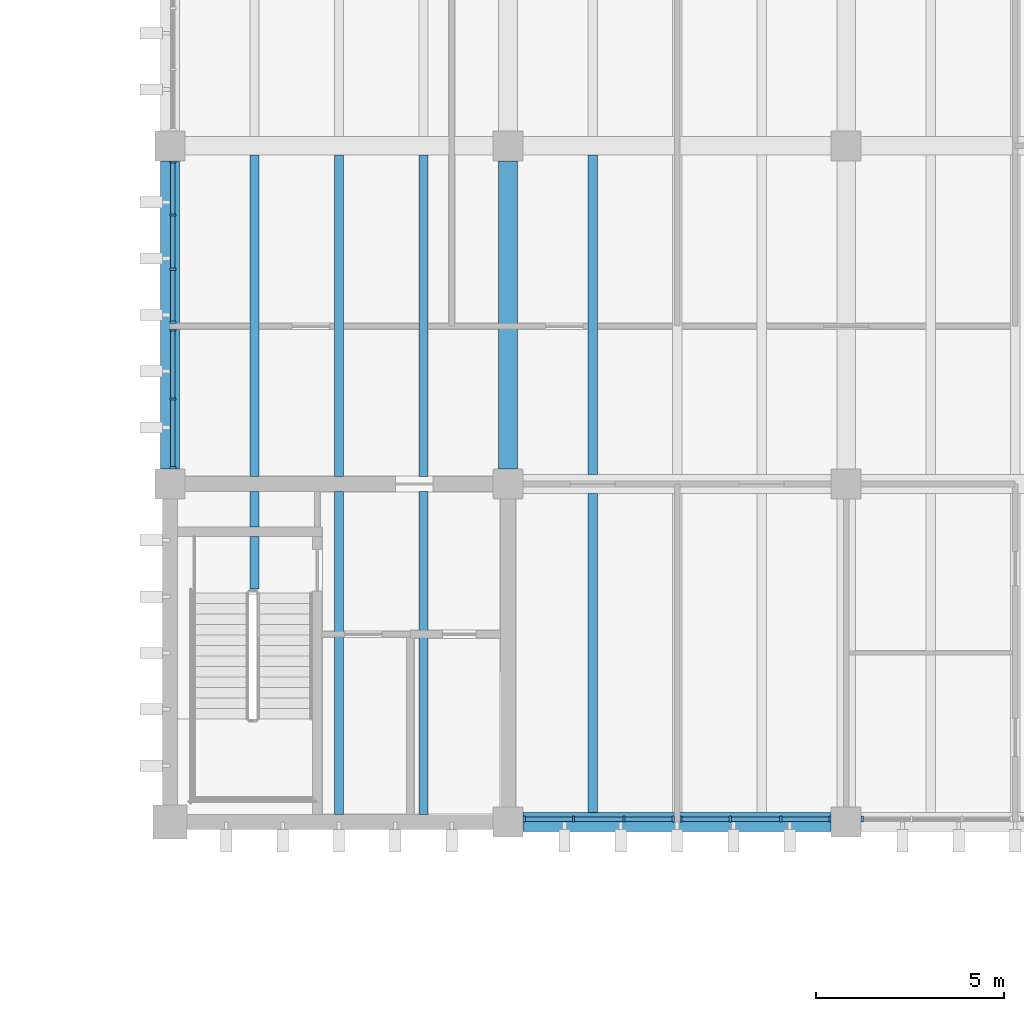
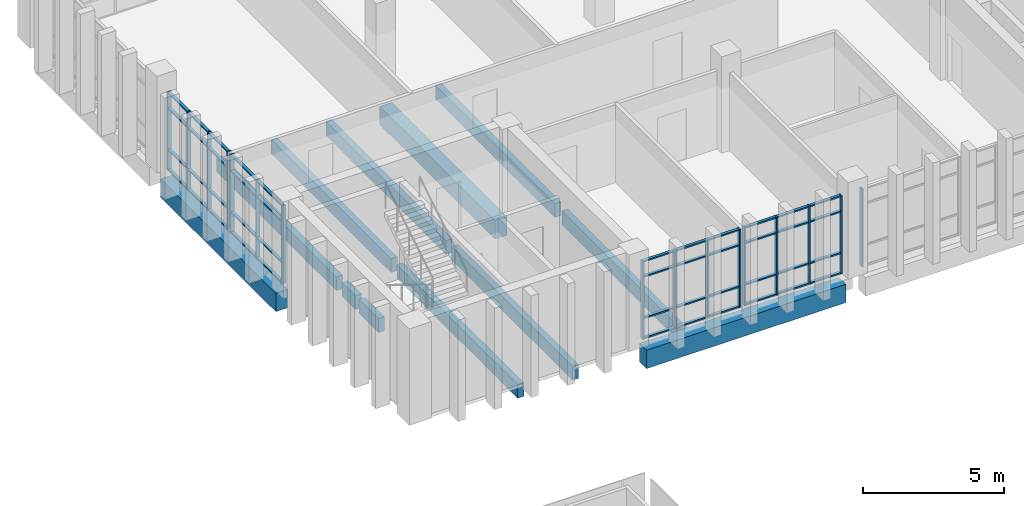
# One storey, part 7 of 29: 60 members, 12 beams, 5 elements without a shape of their own.
"""IFC4 building model written with IfcOpenShell, lengths in metres."""

from ifc_helpers import new_model, si_unit, direction, frame, origin, origin_2d, place, context, subcontext, project, spatial, rectangle, extrude, material, material_profile, profile_set, type_object, element, aggregate, save


model = new_model("IFC4")

# Units and contexts
model_context = context("Model", 3, precision=1e-05, world=origin(), true_north=direction((0.0, 1.0)))
body_context = subcontext(model_context, "Body", "Model", "MODEL_VIEW")
ifc_project = project(units=[si_unit("LENGTHUNIT", "METRE"), si_unit("AREAUNIT", "SQUARE_METRE"), si_unit("VOLUMEUNIT", "CUBIC_METRE"), si_unit("PLANEANGLEUNIT", "RADIAN"), si_unit("MASSUNIT", "GRAM", prefix="KILO")], contexts=[model_context])

# Site, building, storey
site_placement = place(None, origin())
site = spatial("IfcSite", under=ifc_project, at=site_placement, CompositionType="ELEMENT")
building_placement = place(site_placement, origin())
building = spatial("IfcBuilding", under=site, at=building_placement, Name="Merrow Basin Faculty of Sciences", CompositionType="ELEMENT")
storey_placement = place(building_placement, frame((0.0, 0.0, 22.5)))
storey = spatial("IfcBuildingStorey", under=building, at=storey_placement, Name="L05", CompositionType="ELEMENT", Elevation=22.5)

# Curtain wall, members
ifc_material_1 = material(Name="Aluminium alloy 6063", Category="aluminium")
curtain_wall_type = type_object("IfcCurtainWallType", Name="Unitised curtain wall 160", PredefinedType="NOTDEFINED", material=ifc_material_1)
curtain_wall_1_placement = place(storey_placement, origin())
curtain_wall_1 = element("IfcCurtainWall", 1, at=curtain_wall_1_placement, inside=storey, type_object=curtain_wall_type, Name="W curtain wall L05 1", PredefinedType="NOTDEFINED")
ifc_material_2 = material(Name="Aluminium alloy 6063", Category="aluminium")
ifc_material_profile_1 = material_profile(ifc_material_2, rectangle(XDim=0.159912109375, YDim=0.06005859375, at=origin_2d()))
ifc_profile_set_1 = profile_set([ifc_material_profile_1], Name="Aluminium alloy 6063")
member_type_1 = type_object("IfcMemberType", Name="Aluminium mullion 60x160", PredefinedType="MULLION", material=ifc_profile_set_1)
member_1_placement = place(storey_placement, frame((18.080078125, 151.429931640625, 0.0), z_axis=(0.0, 0.0, 1.0), x_axis=(-1.0, 0.0, 0.0)))
member_1 = element("IfcMember", 2, at=member_1_placement, type_object=member_type_1, Name="CW3 mullion 1", PredefinedType="MULLION", context=body_context, shape_type="SweptSolid", body=[
    extrude(rectangle(XDim=0.159912109375, YDim=0.06005859375, at=origin_2d()), origin(), (0.0, 0.0, 1.0), 3.39990234375),
])
member_2_placement = place(storey_placement, frame((18.080078125, 153.262451171875, 0.0), z_axis=(0.0, 0.0, 1.0), x_axis=(-1.0, 0.0, 0.0)))
member_2 = element("IfcMember", 3, at=member_2_placement, type_object=member_type_1, Name="CW3 mullion 2", PredefinedType="MULLION", context=body_context, shape_type="SweptSolid", body=[
    extrude(rectangle(XDim=0.159912109375, YDim=0.06005859375, at=origin_2d()), origin(), (0.0, 0.0, 1.0), 3.39990234375),
])
member_3_placement = place(storey_placement, frame((18.080078125, 155.094970703125, 0.0), z_axis=(0.0, 0.0, 1.0), x_axis=(-1.0, 0.0, 0.0)))
member_3 = element("IfcMember", 4, at=member_3_placement, type_object=member_type_1, Name="CW3 mullion 3", PredefinedType="MULLION", context=body_context, shape_type="SweptSolid", body=[
    extrude(rectangle(XDim=0.159912109375, YDim=0.06005859375, at=origin_2d()), origin(), (0.0, 0.0, 1.0), 3.39990234375),
])

curtain_wall_2_placement = place(storey_placement, origin())
curtain_wall_2 = element("IfcCurtainWall", 5, at=curtain_wall_2_placement, inside=storey, type_object=curtain_wall_type, Name="W curtain wall L05 2", PredefinedType="NOTDEFINED")
member_4_placement = place(storey_placement, frame((18.080078125, 155.304931640625, 0.0), z_axis=(0.0, 0.0, 1.0), x_axis=(-1.0, 0.0, 0.0)))
member_4 = element("IfcMember", 6, at=member_4_placement, type_object=member_type_1, Name="CW3 mullion 1", PredefinedType="MULLION", context=body_context, shape_type="SweptSolid", body=[
    extrude(rectangle(XDim=0.159912109375, YDim=0.06005859375, at=origin_2d()), origin(), (0.0, 0.0, 1.0), 3.39990234375),
])
member_5_placement = place(storey_placement, frame((18.080078125, 156.716552734375, 0.0), z_axis=(0.0, 0.0, 1.0), x_axis=(-1.0, 0.0, 0.0)))
member_5 = element("IfcMember", 7, at=member_5_placement, type_object=member_type_1, Name="CW3 mullion 2", PredefinedType="MULLION", context=body_context, shape_type="SweptSolid", body=[
    extrude(rectangle(XDim=0.159912109375, YDim=0.06005859375, at=origin_2d()), origin(), (0.0, 0.0, 1.0), 3.39990234375),
])
member_6_placement = place(storey_placement, frame((18.080078125, 158.158447265625, 0.0), z_axis=(0.0, 0.0, 1.0), x_axis=(-1.0, 0.0, 0.0)))
member_6 = element("IfcMember", 8, at=member_6_placement, type_object=member_type_1, Name="CW3 mullion 3", PredefinedType="MULLION", context=body_context, shape_type="SweptSolid", body=[
    extrude(rectangle(XDim=0.159912109375, YDim=0.06005859375, at=origin_2d()), origin(), (0.0, 0.0, 1.0), 3.39990234375),
])
member_7_placement = place(storey_placement, frame((18.080078125, 159.570068359375, 0.0), z_axis=(0.0, 0.0, 1.0), x_axis=(-1.0, 0.0, 0.0)))
member_7 = element("IfcMember", 9, at=member_7_placement, type_object=member_type_1, Name="CW3 mullion 4", PredefinedType="MULLION", context=body_context, shape_type="SweptSolid", body=[
    extrude(rectangle(XDim=0.159912109375, YDim=0.06005859375, at=origin_2d()), origin(), (0.0, 0.0, 1.0), 3.39990234375),
])

curtain_wall_3_placement = place(storey_placement, origin())
curtain_wall_3 = element("IfcCurtainWall", 10, at=curtain_wall_3_placement, inside=storey, type_object=curtain_wall_type, Name="S curtain wall L05 1", PredefinedType="NOTDEFINED")
member_8_placement = place(storey_placement, frame((27.429931640625, 142.080078125, 0.0), z_axis=(0.0, 0.0, 1.0), x_axis=(0.0, 1.0, 0.0)))
member_8 = element("IfcMember", 11, at=member_8_placement, type_object=member_type_1, Name="CW3 mullion 1", PredefinedType="MULLION", context=body_context, shape_type="SweptSolid", body=[
    extrude(rectangle(XDim=0.159912109375, YDim=0.06005859375, at=origin_2d()), origin(), (0.0, 0.0, 1.0), 3.39990234375),
])
member_9_placement = place(storey_placement, frame((28.74169921875, 142.080078125, 0.0), z_axis=(0.0, 0.0, 1.0), x_axis=(0.0, 1.0, 0.0)))
member_9 = element("IfcMember", 12, at=member_9_placement, type_object=member_type_1, Name="CW3 mullion 2", PredefinedType="MULLION", context=body_context, shape_type="SweptSolid", body=[
    extrude(rectangle(XDim=0.159912109375, YDim=0.06005859375, at=origin_2d()), origin(), (0.0, 0.0, 1.0), 3.39990234375),
])
member_10_placement = place(storey_placement, frame((30.083251953125, 142.080078125, 0.0), z_axis=(0.0, 0.0, 1.0), x_axis=(0.0, 1.0, 0.0)))
member_10 = element("IfcMember", 13, at=member_10_placement, type_object=member_type_1, Name="CW3 mullion 3", PredefinedType="MULLION", context=body_context, shape_type="SweptSolid", body=[
    extrude(rectangle(XDim=0.159912109375, YDim=0.06005859375, at=origin_2d()), origin(), (0.0, 0.0, 1.0), 3.39990234375),
])
member_11_placement = place(storey_placement, frame((31.39501953125, 142.080078125, 0.0), z_axis=(0.0, 0.0, 1.0), x_axis=(0.0, 1.0, 0.0)))
member_11 = element("IfcMember", 14, at=member_11_placement, type_object=member_type_1, Name="CW3 mullion 4", PredefinedType="MULLION", context=body_context, shape_type="SweptSolid", body=[
    extrude(rectangle(XDim=0.159912109375, YDim=0.06005859375, at=origin_2d()), origin(), (0.0, 0.0, 1.0), 3.39990234375),
])

curtain_wall_4_placement = place(storey_placement, origin())
curtain_wall_4 = element("IfcCurtainWall", 15, at=curtain_wall_4_placement, inside=storey, type_object=curtain_wall_type, Name="S curtain wall L05 2", PredefinedType="NOTDEFINED")
member_12_placement = place(storey_placement, frame((31.60498046875, 142.080078125, 0.0), z_axis=(0.0, 0.0, 1.0), x_axis=(0.0, 1.0, 0.0)))
member_12 = element("IfcMember", 16, at=member_12_placement, type_object=member_type_1, Name="CW3 mullion 1", PredefinedType="MULLION", context=body_context, shape_type="SweptSolid", body=[
    extrude(rectangle(XDim=0.159912109375, YDim=0.06005859375, at=origin_2d()), origin(), (0.0, 0.0, 1.0), 3.39990234375),
])
member_13_placement = place(storey_placement, frame((32.916748046875, 142.080078125, 0.0), z_axis=(0.0, 0.0, 1.0), x_axis=(0.0, 1.0, 0.0)))
member_13 = element("IfcMember", 17, at=member_13_placement, type_object=member_type_1, Name="CW3 mullion 2", PredefinedType="MULLION", context=body_context, shape_type="SweptSolid", body=[
    extrude(rectangle(XDim=0.159912109375, YDim=0.06005859375, at=origin_2d()), origin(), (0.0, 0.0, 1.0), 3.39990234375),
])
member_14_placement = place(storey_placement, frame((34.25830078125, 142.080078125, 0.0), z_axis=(0.0, 0.0, 1.0), x_axis=(0.0, 1.0, 0.0)))
member_14 = element("IfcMember", 18, at=member_14_placement, type_object=member_type_1, Name="CW3 mullion 3", PredefinedType="MULLION", context=body_context, shape_type="SweptSolid", body=[
    extrude(rectangle(XDim=0.159912109375, YDim=0.06005859375, at=origin_2d()), origin(), (0.0, 0.0, 1.0), 3.39990234375),
])
member_15_placement = place(storey_placement, frame((35.570068359375, 142.080078125, 0.0), z_axis=(0.0, 0.0, 1.0), x_axis=(0.0, 1.0, 0.0)))
member_15 = element("IfcMember", 19, at=member_15_placement, type_object=member_type_1, Name="CW3 mullion 4", PredefinedType="MULLION", context=body_context, shape_type="SweptSolid", body=[
    extrude(rectangle(XDim=0.159912109375, YDim=0.06005859375, at=origin_2d()), origin(), (0.0, 0.0, 1.0), 3.39990234375),
])

# Curtain wall, member
curtain_wall_5_placement = place(storey_placement, origin())
curtain_wall_5 = element("IfcCurtainWall", 20, at=curtain_wall_5_placement, inside=storey, type_object=curtain_wall_type, Name="S curtain wall L05 3", PredefinedType="NOTDEFINED")
member_16_placement = place(storey_placement, frame((36.429931640625, 142.080078125, 0.0), z_axis=(0.0, 0.0, 1.0), x_axis=(0.0, 1.0, 0.0)))
member_16 = element("IfcMember", 21, at=member_16_placement, type_object=member_type_1, Name="CW3 mullion 1", PredefinedType="MULLION", context=body_context, shape_type="SweptSolid", body=[
    extrude(rectangle(XDim=0.159912109375, YDim=0.06005859375, at=origin_2d()), origin(), (0.0, 0.0, 1.0), 3.39990234375),
])
aggregate(curtain_wall_5, [member_16])

# Member
ifc_material_3 = material(Name="Aluminium alloy 6063", Category="aluminium")
ifc_material_profile_2 = material_profile(ifc_material_3, rectangle(XDim=0.1201171875, YDim=0.06005859375, at=origin_2d()))
ifc_profile_set_2 = profile_set([ifc_material_profile_2], Name="Aluminium alloy 6063")
member_type_2 = type_object("IfcMemberType", Name="Aluminium transom 60x120", PredefinedType="USERDEFINED", material=ifc_profile_set_2)
member_17_placement = place(storey_placement, frame((18.080078125, 151.4599609375, 0.030029296875), z_axis=(0.0, 1.0, 0.0), x_axis=(-1.0, 0.0, 0.0)))
member_17 = element("IfcMember", 22, at=member_17_placement, type_object=member_type_2, Name="CW3 transom 1.1", ObjectType="TRANSOM", PredefinedType="USERDEFINED", context=body_context, shape_type="SweptSolid", body=[
    extrude(rectangle(XDim=0.1201171875, YDim=0.06005859375, at=origin_2d()), origin(), (0.0, 0.0, 1.0), 1.7724609375),
])

member_18_placement = place(storey_placement, frame((18.080078125, 151.4599609375, 0.89990234375), z_axis=(0.0, 1.0, 0.0), x_axis=(-1.0, 0.0, 0.0)))
member_18 = element("IfcMember", 23, at=member_18_placement, type_object=member_type_2, Name="CW3 transom 1.2", ObjectType="TRANSOM", PredefinedType="USERDEFINED", context=body_context, shape_type="SweptSolid", body=[
    extrude(rectangle(XDim=0.1201171875, YDim=0.06005859375, at=origin_2d()), origin(), (0.0, 0.0, 1.0), 1.7724609375),
])

member_19_placement = place(storey_placement, frame((18.080078125, 151.4599609375, 2.699951171875), z_axis=(0.0, 1.0, 0.0), x_axis=(-1.0, 0.0, 0.0)))
member_19 = element("IfcMember", 24, at=member_19_placement, type_object=member_type_2, Name="CW3 transom 1.3", ObjectType="TRANSOM", PredefinedType="USERDEFINED", context=body_context, shape_type="SweptSolid", body=[
    extrude(rectangle(XDim=0.1201171875, YDim=0.06005859375, at=origin_2d()), origin(), (0.0, 0.0, 1.0), 1.7724609375),
])

member_20_placement = place(storey_placement, frame((18.080078125, 151.4599609375, 3.3701171875), z_axis=(0.0, 1.0, 0.0), x_axis=(-1.0, 0.0, 0.0)))
member_20 = element("IfcMember", 25, at=member_20_placement, type_object=member_type_2, Name="CW3 transom 1.4", ObjectType="TRANSOM", PredefinedType="USERDEFINED", context=body_context, shape_type="SweptSolid", body=[
    extrude(rectangle(XDim=0.1201171875, YDim=0.06005859375, at=origin_2d()), origin(), (0.0, 0.0, 1.0), 1.7724609375),
])

member_21_placement = place(storey_placement, frame((18.080078125, 153.29248046875, 0.030029296875), z_axis=(0.0, 1.0, 0.0), x_axis=(-1.0, 0.0, 0.0)))
member_21 = element("IfcMember", 26, at=member_21_placement, type_object=member_type_2, Name="CW3 transom 2.1", ObjectType="TRANSOM", PredefinedType="USERDEFINED", context=body_context, shape_type="SweptSolid", body=[
    extrude(rectangle(XDim=0.1201171875, YDim=0.06005859375, at=origin_2d()), origin(), (0.0, 0.0, 1.0), 1.7724609375),
])

member_22_placement = place(storey_placement, frame((18.080078125, 153.29248046875, 0.89990234375), z_axis=(0.0, 1.0, 0.0), x_axis=(-1.0, 0.0, 0.0)))
member_22 = element("IfcMember", 27, at=member_22_placement, type_object=member_type_2, Name="CW3 transom 2.2", ObjectType="TRANSOM", PredefinedType="USERDEFINED", context=body_context, shape_type="SweptSolid", body=[
    extrude(rectangle(XDim=0.1201171875, YDim=0.06005859375, at=origin_2d()), origin(), (0.0, 0.0, 1.0), 1.7724609375),
])

member_23_placement = place(storey_placement, frame((18.080078125, 153.29248046875, 2.699951171875), z_axis=(0.0, 1.0, 0.0), x_axis=(-1.0, 0.0, 0.0)))
member_23 = element("IfcMember", 28, at=member_23_placement, type_object=member_type_2, Name="CW3 transom 2.3", ObjectType="TRANSOM", PredefinedType="USERDEFINED", context=body_context, shape_type="SweptSolid", body=[
    extrude(rectangle(XDim=0.1201171875, YDim=0.06005859375, at=origin_2d()), origin(), (0.0, 0.0, 1.0), 1.7724609375),
])

member_24_placement = place(storey_placement, frame((18.080078125, 153.29248046875, 3.3701171875), z_axis=(0.0, 1.0, 0.0), x_axis=(-1.0, 0.0, 0.0)))
member_24 = element("IfcMember", 29, at=member_24_placement, type_object=member_type_2, Name="CW3 transom 2.4", ObjectType="TRANSOM", PredefinedType="USERDEFINED", context=body_context, shape_type="SweptSolid", body=[
    extrude(rectangle(XDim=0.1201171875, YDim=0.06005859375, at=origin_2d()), origin(), (0.0, 0.0, 1.0), 1.7724609375),
])

aggregate(curtain_wall_1, [member_1, member_2, member_3, member_17, member_18, member_19, member_20, member_21, member_22, member_23, member_24])

member_25_placement = place(storey_placement, frame((18.080078125, 155.3349609375, 0.030029296875), z_axis=(0.0, 1.0, 0.0), x_axis=(-1.0, 0.0, 0.0)))
member_25 = element("IfcMember", 30, at=member_25_placement, type_object=member_type_2, Name="CW3 transom 1.1", ObjectType="TRANSOM", PredefinedType="USERDEFINED", context=body_context, shape_type="SweptSolid", body=[
    extrude(rectangle(XDim=0.1201171875, YDim=0.06005859375, at=origin_2d()), origin(), (0.0, 0.0, 1.0), 1.351806640625),
])

member_26_placement = place(storey_placement, frame((18.080078125, 155.3349609375, 0.89990234375), z_axis=(0.0, 1.0, 0.0), x_axis=(-1.0, 0.0, 0.0)))
member_26 = element("IfcMember", 31, at=member_26_placement, type_object=member_type_2, Name="CW3 transom 1.2", ObjectType="TRANSOM", PredefinedType="USERDEFINED", context=body_context, shape_type="SweptSolid", body=[
    extrude(rectangle(XDim=0.1201171875, YDim=0.06005859375, at=origin_2d()), origin(), (0.0, 0.0, 1.0), 1.351806640625),
])

member_27_placement = place(storey_placement, frame((18.080078125, 155.3349609375, 2.699951171875), z_axis=(0.0, 1.0, 0.0), x_axis=(-1.0, 0.0, 0.0)))
member_27 = element("IfcMember", 32, at=member_27_placement, type_object=member_type_2, Name="CW3 transom 1.3", ObjectType="TRANSOM", PredefinedType="USERDEFINED", context=body_context, shape_type="SweptSolid", body=[
    extrude(rectangle(XDim=0.1201171875, YDim=0.06005859375, at=origin_2d()), origin(), (0.0, 0.0, 1.0), 1.351806640625),
])

member_28_placement = place(storey_placement, frame((18.080078125, 155.3349609375, 3.3701171875), z_axis=(0.0, 1.0, 0.0), x_axis=(-1.0, 0.0, 0.0)))
member_28 = element("IfcMember", 33, at=member_28_placement, type_object=member_type_2, Name="CW3 transom 1.4", ObjectType="TRANSOM", PredefinedType="USERDEFINED", context=body_context, shape_type="SweptSolid", body=[
    extrude(rectangle(XDim=0.1201171875, YDim=0.06005859375, at=origin_2d()), origin(), (0.0, 0.0, 1.0), 1.351806640625),
])

member_29_placement = place(storey_placement, frame((18.080078125, 156.74658203125, 0.030029296875), z_axis=(0.0, 1.0, 0.0), x_axis=(-1.0, 0.0, 0.0)))
member_29 = element("IfcMember", 34, at=member_29_placement, type_object=member_type_2, Name="CW3 transom 2.1", ObjectType="TRANSOM", PredefinedType="USERDEFINED", context=body_context, shape_type="SweptSolid", body=[
    extrude(rectangle(XDim=0.1201171875, YDim=0.06005859375, at=origin_2d()), origin(), (0.0, 0.0, 1.0), 1.3818359375),
])

member_30_placement = place(storey_placement, frame((18.080078125, 156.74658203125, 0.89990234375), z_axis=(0.0, 1.0, 0.0), x_axis=(-1.0, 0.0, 0.0)))
member_30 = element("IfcMember", 35, at=member_30_placement, type_object=member_type_2, Name="CW3 transom 2.2", ObjectType="TRANSOM", PredefinedType="USERDEFINED", context=body_context, shape_type="SweptSolid", body=[
    extrude(rectangle(XDim=0.1201171875, YDim=0.06005859375, at=origin_2d()), origin(), (0.0, 0.0, 1.0), 1.3818359375),
])

member_31_placement = place(storey_placement, frame((18.080078125, 156.74658203125, 2.699951171875), z_axis=(0.0, 1.0, 0.0), x_axis=(-1.0, 0.0, 0.0)))
member_31 = element("IfcMember", 36, at=member_31_placement, type_object=member_type_2, Name="CW3 transom 2.3", ObjectType="TRANSOM", PredefinedType="USERDEFINED", context=body_context, shape_type="SweptSolid", body=[
    extrude(rectangle(XDim=0.1201171875, YDim=0.06005859375, at=origin_2d()), origin(), (0.0, 0.0, 1.0), 1.3818359375),
])

member_32_placement = place(storey_placement, frame((18.080078125, 156.74658203125, 3.3701171875), z_axis=(0.0, 1.0, 0.0), x_axis=(-1.0, 0.0, 0.0)))
member_32 = element("IfcMember", 37, at=member_32_placement, type_object=member_type_2, Name="CW3 transom 2.4", ObjectType="TRANSOM", PredefinedType="USERDEFINED", context=body_context, shape_type="SweptSolid", body=[
    extrude(rectangle(XDim=0.1201171875, YDim=0.06005859375, at=origin_2d()), origin(), (0.0, 0.0, 1.0), 1.3818359375),
])

member_33_placement = place(storey_placement, frame((18.080078125, 158.188232421875, 0.030029296875), z_axis=(0.0, 1.0, 0.0), x_axis=(-1.0, 0.0, 0.0)))
member_33 = element("IfcMember", 38, at=member_33_placement, type_object=member_type_2, Name="CW3 transom 3.1", ObjectType="TRANSOM", PredefinedType="USERDEFINED", context=body_context, shape_type="SweptSolid", body=[
    extrude(rectangle(XDim=0.1201171875, YDim=0.06005859375, at=origin_2d()), origin(), (0.0, 0.0, 1.0), 1.351806640625),
])

member_34_placement = place(storey_placement, frame((18.080078125, 158.188232421875, 0.89990234375), z_axis=(0.0, 1.0, 0.0), x_axis=(-1.0, 0.0, 0.0)))
member_34 = element("IfcMember", 39, at=member_34_placement, type_object=member_type_2, Name="CW3 transom 3.2", ObjectType="TRANSOM", PredefinedType="USERDEFINED", context=body_context, shape_type="SweptSolid", body=[
    extrude(rectangle(XDim=0.1201171875, YDim=0.06005859375, at=origin_2d()), origin(), (0.0, 0.0, 1.0), 1.351806640625),
])

member_35_placement = place(storey_placement, frame((18.080078125, 158.188232421875, 2.699951171875), z_axis=(0.0, 1.0, 0.0), x_axis=(-1.0, 0.0, 0.0)))
member_35 = element("IfcMember", 40, at=member_35_placement, type_object=member_type_2, Name="CW3 transom 3.3", ObjectType="TRANSOM", PredefinedType="USERDEFINED", context=body_context, shape_type="SweptSolid", body=[
    extrude(rectangle(XDim=0.1201171875, YDim=0.06005859375, at=origin_2d()), origin(), (0.0, 0.0, 1.0), 1.351806640625),
])

member_36_placement = place(storey_placement, frame((18.080078125, 158.188232421875, 3.3701171875), z_axis=(0.0, 1.0, 0.0), x_axis=(-1.0, 0.0, 0.0)))
member_36 = element("IfcMember", 41, at=member_36_placement, type_object=member_type_2, Name="CW3 transom 3.4", ObjectType="TRANSOM", PredefinedType="USERDEFINED", context=body_context, shape_type="SweptSolid", body=[
    extrude(rectangle(XDim=0.1201171875, YDim=0.06005859375, at=origin_2d()), origin(), (0.0, 0.0, 1.0), 1.351806640625),
])

aggregate(curtain_wall_2, [member_4, member_5, member_6, member_7, member_25, member_26, member_27, member_28, member_29, member_30, member_31, member_32, member_33, member_34, member_35, member_36])

member_37_placement = place(storey_placement, frame((27.4599609375, 142.080078125, 0.030029296875), z_axis=(1.0, 0.0, 0.0), x_axis=(0.0, 1.0, 0.0)))
member_37 = element("IfcMember", 42, at=member_37_placement, type_object=member_type_2, Name="CW3 transom 1.1", ObjectType="TRANSOM", PredefinedType="USERDEFINED", context=body_context, shape_type="SweptSolid", body=[
    extrude(rectangle(XDim=0.1201171875, YDim=0.06005859375, at=origin_2d()), origin(), (0.0, 0.0, 1.0), 1.251708984375),
])

member_38_placement = place(storey_placement, frame((27.4599609375, 142.080078125, 0.89990234375), z_axis=(1.0, 0.0, 0.0), x_axis=(0.0, 1.0, 0.0)))
member_38 = element("IfcMember", 43, at=member_38_placement, type_object=member_type_2, Name="CW3 transom 1.2", ObjectType="TRANSOM", PredefinedType="USERDEFINED", context=body_context, shape_type="SweptSolid", body=[
    extrude(rectangle(XDim=0.1201171875, YDim=0.06005859375, at=origin_2d()), origin(), (0.0, 0.0, 1.0), 1.251708984375),
])

member_39_placement = place(storey_placement, frame((27.4599609375, 142.080078125, 2.699951171875), z_axis=(1.0, 0.0, 0.0), x_axis=(0.0, 1.0, 0.0)))
member_39 = element("IfcMember", 44, at=member_39_placement, type_object=member_type_2, Name="CW3 transom 1.3", ObjectType="TRANSOM", PredefinedType="USERDEFINED", context=body_context, shape_type="SweptSolid", body=[
    extrude(rectangle(XDim=0.1201171875, YDim=0.06005859375, at=origin_2d()), origin(), (0.0, 0.0, 1.0), 1.251708984375),
])

member_40_placement = place(storey_placement, frame((27.4599609375, 142.080078125, 3.3701171875), z_axis=(1.0, 0.0, 0.0), x_axis=(0.0, 1.0, 0.0)))
member_40 = element("IfcMember", 45, at=member_40_placement, type_object=member_type_2, Name="CW3 transom 1.4", ObjectType="TRANSOM", PredefinedType="USERDEFINED", context=body_context, shape_type="SweptSolid", body=[
    extrude(rectangle(XDim=0.1201171875, YDim=0.06005859375, at=origin_2d()), origin(), (0.0, 0.0, 1.0), 1.251708984375),
])

member_41_placement = place(storey_placement, frame((28.771728515625, 142.080078125, 0.030029296875), z_axis=(1.0, 0.0, 0.0), x_axis=(0.0, 1.0, 0.0)))
member_41 = element("IfcMember", 46, at=member_41_placement, type_object=member_type_2, Name="CW3 transom 2.1", ObjectType="TRANSOM", PredefinedType="USERDEFINED", context=body_context, shape_type="SweptSolid", body=[
    extrude(rectangle(XDim=0.1201171875, YDim=0.06005859375, at=origin_2d()), origin(), (0.0, 0.0, 1.0), 1.281494140625),
])

member_42_placement = place(storey_placement, frame((28.771728515625, 142.080078125, 0.89990234375), z_axis=(1.0, 0.0, 0.0), x_axis=(0.0, 1.0, 0.0)))
member_42 = element("IfcMember", 47, at=member_42_placement, type_object=member_type_2, Name="CW3 transom 2.2", ObjectType="TRANSOM", PredefinedType="USERDEFINED", context=body_context, shape_type="SweptSolid", body=[
    extrude(rectangle(XDim=0.1201171875, YDim=0.06005859375, at=origin_2d()), origin(), (0.0, 0.0, 1.0), 1.281494140625),
])

member_43_placement = place(storey_placement, frame((28.771728515625, 142.080078125, 2.699951171875), z_axis=(1.0, 0.0, 0.0), x_axis=(0.0, 1.0, 0.0)))
member_43 = element("IfcMember", 48, at=member_43_placement, type_object=member_type_2, Name="CW3 transom 2.3", ObjectType="TRANSOM", PredefinedType="USERDEFINED", context=body_context, shape_type="SweptSolid", body=[
    extrude(rectangle(XDim=0.1201171875, YDim=0.06005859375, at=origin_2d()), origin(), (0.0, 0.0, 1.0), 1.281494140625),
])

member_44_placement = place(storey_placement, frame((28.771728515625, 142.080078125, 3.3701171875), z_axis=(1.0, 0.0, 0.0), x_axis=(0.0, 1.0, 0.0)))
member_44 = element("IfcMember", 49, at=member_44_placement, type_object=member_type_2, Name="CW3 transom 2.4", ObjectType="TRANSOM", PredefinedType="USERDEFINED", context=body_context, shape_type="SweptSolid", body=[
    extrude(rectangle(XDim=0.1201171875, YDim=0.06005859375, at=origin_2d()), origin(), (0.0, 0.0, 1.0), 1.281494140625),
])

member_45_placement = place(storey_placement, frame((30.11328125, 142.080078125, 0.030029296875), z_axis=(1.0, 0.0, 0.0), x_axis=(0.0, 1.0, 0.0)))
member_45 = element("IfcMember", 50, at=member_45_placement, type_object=member_type_2, Name="CW3 transom 3.1", ObjectType="TRANSOM", PredefinedType="USERDEFINED", context=body_context, shape_type="SweptSolid", body=[
    extrude(rectangle(XDim=0.1201171875, YDim=0.06005859375, at=origin_2d()), origin(), (0.0, 0.0, 1.0), 1.251708984375),
])

member_46_placement = place(storey_placement, frame((30.11328125, 142.080078125, 0.89990234375), z_axis=(1.0, 0.0, 0.0), x_axis=(0.0, 1.0, 0.0)))
member_46 = element("IfcMember", 51, at=member_46_placement, type_object=member_type_2, Name="CW3 transom 3.2", ObjectType="TRANSOM", PredefinedType="USERDEFINED", context=body_context, shape_type="SweptSolid", body=[
    extrude(rectangle(XDim=0.1201171875, YDim=0.06005859375, at=origin_2d()), origin(), (0.0, 0.0, 1.0), 1.251708984375),
])

member_47_placement = place(storey_placement, frame((30.11328125, 142.080078125, 2.699951171875), z_axis=(1.0, 0.0, 0.0), x_axis=(0.0, 1.0, 0.0)))
member_47 = element("IfcMember", 52, at=member_47_placement, type_object=member_type_2, Name="CW3 transom 3.3", ObjectType="TRANSOM", PredefinedType="USERDEFINED", context=body_context, shape_type="SweptSolid", body=[
    extrude(rectangle(XDim=0.1201171875, YDim=0.06005859375, at=origin_2d()), origin(), (0.0, 0.0, 1.0), 1.251708984375),
])

member_48_placement = place(storey_placement, frame((30.11328125, 142.080078125, 3.3701171875), z_axis=(1.0, 0.0, 0.0), x_axis=(0.0, 1.0, 0.0)))
member_48 = element("IfcMember", 53, at=member_48_placement, type_object=member_type_2, Name="CW3 transom 3.4", ObjectType="TRANSOM", PredefinedType="USERDEFINED", context=body_context, shape_type="SweptSolid", body=[
    extrude(rectangle(XDim=0.1201171875, YDim=0.06005859375, at=origin_2d()), origin(), (0.0, 0.0, 1.0), 1.251708984375),
])

aggregate(curtain_wall_3, [member_8, member_9, member_10, member_11, member_37, member_38, member_39, member_40, member_41, member_42, member_43, member_44, member_45, member_46, member_47, member_48])

member_49_placement = place(storey_placement, frame((31.635009765625, 142.080078125, 0.030029296875), z_axis=(1.0, 0.0, 0.0), x_axis=(0.0, 1.0, 0.0)))
member_49 = element("IfcMember", 54, at=member_49_placement, type_object=member_type_2, Name="CW3 transom 1.1", ObjectType="TRANSOM", PredefinedType="USERDEFINED", context=body_context, shape_type="SweptSolid", body=[
    extrude(rectangle(XDim=0.1201171875, YDim=0.06005859375, at=origin_2d()), origin(), (0.0, 0.0, 1.0), 1.251708984375),
])

member_50_placement = place(storey_placement, frame((31.635009765625, 142.080078125, 0.89990234375), z_axis=(1.0, 0.0, 0.0), x_axis=(0.0, 1.0, 0.0)))
member_50 = element("IfcMember", 55, at=member_50_placement, type_object=member_type_2, Name="CW3 transom 1.2", ObjectType="TRANSOM", PredefinedType="USERDEFINED", context=body_context, shape_type="SweptSolid", body=[
    extrude(rectangle(XDim=0.1201171875, YDim=0.06005859375, at=origin_2d()), origin(), (0.0, 0.0, 1.0), 1.251708984375),
])

member_51_placement = place(storey_placement, frame((31.635009765625, 142.080078125, 2.699951171875), z_axis=(1.0, 0.0, 0.0), x_axis=(0.0, 1.0, 0.0)))
member_51 = element("IfcMember", 56, at=member_51_placement, type_object=member_type_2, Name="CW3 transom 1.3", ObjectType="TRANSOM", PredefinedType="USERDEFINED", context=body_context, shape_type="SweptSolid", body=[
    extrude(rectangle(XDim=0.1201171875, YDim=0.06005859375, at=origin_2d()), origin(), (0.0, 0.0, 1.0), 1.251708984375),
])

member_52_placement = place(storey_placement, frame((31.635009765625, 142.080078125, 3.3701171875), z_axis=(1.0, 0.0, 0.0), x_axis=(0.0, 1.0, 0.0)))
member_52 = element("IfcMember", 57, at=member_52_placement, type_object=member_type_2, Name="CW3 transom 1.4", ObjectType="TRANSOM", PredefinedType="USERDEFINED", context=body_context, shape_type="SweptSolid", body=[
    extrude(rectangle(XDim=0.1201171875, YDim=0.06005859375, at=origin_2d()), origin(), (0.0, 0.0, 1.0), 1.251708984375),
])

member_53_placement = place(storey_placement, frame((32.94677734375, 142.080078125, 0.030029296875), z_axis=(1.0, 0.0, 0.0), x_axis=(0.0, 1.0, 0.0)))
member_53 = element("IfcMember", 58, at=member_53_placement, type_object=member_type_2, Name="CW3 transom 2.1", ObjectType="TRANSOM", PredefinedType="USERDEFINED", context=body_context, shape_type="SweptSolid", body=[
    extrude(rectangle(XDim=0.1201171875, YDim=0.06005859375, at=origin_2d()), origin(), (0.0, 0.0, 1.0), 1.281494140625),
])

member_54_placement = place(storey_placement, frame((32.94677734375, 142.080078125, 0.89990234375), z_axis=(1.0, 0.0, 0.0), x_axis=(0.0, 1.0, 0.0)))
member_54 = element("IfcMember", 59, at=member_54_placement, type_object=member_type_2, Name="CW3 transom 2.2", ObjectType="TRANSOM", PredefinedType="USERDEFINED", context=body_context, shape_type="SweptSolid", body=[
    extrude(rectangle(XDim=0.1201171875, YDim=0.06005859375, at=origin_2d()), origin(), (0.0, 0.0, 1.0), 1.281494140625),
])

member_55_placement = place(storey_placement, frame((32.94677734375, 142.080078125, 2.699951171875), z_axis=(1.0, 0.0, 0.0), x_axis=(0.0, 1.0, 0.0)))
member_55 = element("IfcMember", 60, at=member_55_placement, type_object=member_type_2, Name="CW3 transom 2.3", ObjectType="TRANSOM", PredefinedType="USERDEFINED", context=body_context, shape_type="SweptSolid", body=[
    extrude(rectangle(XDim=0.1201171875, YDim=0.06005859375, at=origin_2d()), origin(), (0.0, 0.0, 1.0), 1.281494140625),
])

member_56_placement = place(storey_placement, frame((32.94677734375, 142.080078125, 3.3701171875), z_axis=(1.0, 0.0, 0.0), x_axis=(0.0, 1.0, 0.0)))
member_56 = element("IfcMember", 61, at=member_56_placement, type_object=member_type_2, Name="CW3 transom 2.4", ObjectType="TRANSOM", PredefinedType="USERDEFINED", context=body_context, shape_type="SweptSolid", body=[
    extrude(rectangle(XDim=0.1201171875, YDim=0.06005859375, at=origin_2d()), origin(), (0.0, 0.0, 1.0), 1.281494140625),
])

member_57_placement = place(storey_placement, frame((34.288330078125, 142.080078125, 0.030029296875), z_axis=(1.0, 0.0, 0.0), x_axis=(0.0, 1.0, 0.0)))
member_57 = element("IfcMember", 62, at=member_57_placement, type_object=member_type_2, Name="CW3 transom 3.1", ObjectType="TRANSOM", PredefinedType="USERDEFINED", context=body_context, shape_type="SweptSolid", body=[
    extrude(rectangle(XDim=0.1201171875, YDim=0.06005859375, at=origin_2d()), origin(), (0.0, 0.0, 1.0), 1.251708984375),
])

member_58_placement = place(storey_placement, frame((34.288330078125, 142.080078125, 0.89990234375), z_axis=(1.0, 0.0, 0.0), x_axis=(0.0, 1.0, 0.0)))
member_58 = element("IfcMember", 63, at=member_58_placement, type_object=member_type_2, Name="CW3 transom 3.2", ObjectType="TRANSOM", PredefinedType="USERDEFINED", context=body_context, shape_type="SweptSolid", body=[
    extrude(rectangle(XDim=0.1201171875, YDim=0.06005859375, at=origin_2d()), origin(), (0.0, 0.0, 1.0), 1.251708984375),
])

member_59_placement = place(storey_placement, frame((34.288330078125, 142.080078125, 2.699951171875), z_axis=(1.0, 0.0, 0.0), x_axis=(0.0, 1.0, 0.0)))
member_59 = element("IfcMember", 64, at=member_59_placement, type_object=member_type_2, Name="CW3 transom 3.3", ObjectType="TRANSOM", PredefinedType="USERDEFINED", context=body_context, shape_type="SweptSolid", body=[
    extrude(rectangle(XDim=0.1201171875, YDim=0.06005859375, at=origin_2d()), origin(), (0.0, 0.0, 1.0), 1.251708984375),
])

member_60_placement = place(storey_placement, frame((34.288330078125, 142.080078125, 3.3701171875), z_axis=(1.0, 0.0, 0.0), x_axis=(0.0, 1.0, 0.0)))
member_60 = element("IfcMember", 65, at=member_60_placement, type_object=member_type_2, Name="CW3 transom 3.4", ObjectType="TRANSOM", PredefinedType="USERDEFINED", context=body_context, shape_type="SweptSolid", body=[
    extrude(rectangle(XDim=0.1201171875, YDim=0.06005859375, at=origin_2d()), origin(), (0.0, 0.0, 1.0), 1.251708984375),
])

aggregate(curtain_wall_4, [member_12, member_13, member_14, member_15, member_49, member_50, member_51, member_52, member_53, member_54, member_55, member_56, member_57, member_58, member_59, member_60])

# Beams
ifc_material_4 = material(Name="Concrete C40/50", Category="concrete")
ifc_material_profile_3 = material_profile(ifc_material_4, rectangle(XDim=0.5, YDim=0.800048828125, at=origin_2d()))
ifc_profile_set_3 = profile_set([ifc_material_profile_3], Name="Concrete C40/50")
beam_type_1 = type_object("IfcBeamType", Name="Beam RC500x800 C40/50", PredefinedType="BEAM", material=ifc_profile_set_3)
for number, where, z_axis, x_axis, name in (
    (66, (27.39990234375, 142.0, -0.699951171875), (1.0, 0.0, 0.0), (0.0, 1.0, 0.0), "B4 L05 001"),
    (67, (18.0, 151.39990234375, -0.699951171875), (0.0, 1.0, 0.0), (-1.0, 0.0, 0.0), "B4 L05 013"),
    (68, (27.0, 151.39990234375, -0.699951171875), (0.0, 1.0, 0.0), (-1.0, 0.0, 0.0), "B4 L05 015"),
):
    element("IfcBeam", number, at=place(storey_placement, frame(where, z_axis=z_axis, x_axis=x_axis)), inside=storey, type_object=beam_type_1, Name=name, PredefinedType="BEAM", context=body_context, shape_type="SweptSolid", body=[
        extrude(rectangle(XDim=0.5, YDim=0.800048828125, at=origin_2d()), origin(), (0.0, 0.0, 1.0), 8.2001953125),
    ])
ifc_material_5 = material(Name="Concrete C40/50", Category="concrete")
ifc_material_profile_4 = material_profile(ifc_material_5, rectangle(XDim=0.25, YDim=0.60009765625, at=origin_2d()))
ifc_profile_set_4 = profile_set([ifc_material_profile_4], Name="Concrete C40/50")
beam_type_2 = type_object("IfcBeamType", Name="Tower floor joist RC250x600 C40/50", PredefinedType="BEAM", material=ifc_profile_set_4)
beam_1_placement = place(storey_placement, frame((20.25, 148.199951171875, -0.60009765625), z_axis=(0.0, 1.0, 0.0), x_axis=(-1.0, 0.0, 0.0)))
element("IfcBeam", 69, at=beam_1_placement, inside=storey, type_object=beam_type_2, Name="JT1 L05 022", PredefinedType="BEAM", context=body_context, shape_type="SweptSolid", body=[
    extrude(rectangle(XDim=0.25, YDim=0.60009765625, at=origin_2d()), origin(), (0.0, 0.0, 1.0), 1.400146484375),
])
beam_2_placement = place(storey_placement, frame((20.25, 149.85009765625, -0.60009765625), z_axis=(0.0, 1.0, 0.0), x_axis=(-1.0, 0.0, 0.0)))
element("IfcBeam", 70, at=beam_2_placement, inside=storey, type_object=beam_type_2, Name="JT1 L05 023", PredefinedType="BEAM", context=body_context, shape_type="SweptSolid", body=[
    extrude(rectangle(XDim=0.25, YDim=0.60009765625, at=origin_2d()), origin(), (0.0, 0.0, 1.0), 0.949951171875),
])
for number, where, z_axis, x_axis, name in (
    (71, (22.5, 142.199951171875, -0.60009765625), (0.0, 1.0, 0.0), (-1.0, 0.0, 0.0), "JT1 L05 024"),
    (72, (24.75, 142.199951171875, -0.60009765625), (0.0, 1.0, 0.0), (-1.0, 0.0, 0.0), "JT1 L05 025"),
):
    element("IfcBeam", number, at=place(storey_placement, frame(where, z_axis=z_axis, x_axis=x_axis)), inside=storey, type_object=beam_type_2, Name=name, PredefinedType="BEAM", context=body_context, shape_type="SweptSolid", body=[
        extrude(rectangle(XDim=0.25, YDim=0.60009765625, at=origin_2d()), origin(), (0.0, 0.0, 1.0), 8.60009765625),
    ])
for number, where, z_axis, x_axis, name in (
    (73, (20.25, 151.199951171875, -0.60009765625), (0.0, 1.0, 0.0), (-1.0, 0.0, 0.0), "JT1 L05 026"),
    (74, (22.5, 151.199951171875, -0.60009765625), (0.0, 1.0, 0.0), (-1.0, 0.0, 0.0), "JT1 L05 027"),
    (75, (24.75, 151.199951171875, -0.60009765625), (0.0, 1.0, 0.0), (-1.0, 0.0, 0.0), "JT1 L05 028"),
):
    element("IfcBeam", number, at=place(storey_placement, frame(where, z_axis=z_axis, x_axis=x_axis)), inside=storey, type_object=beam_type_2, Name=name, PredefinedType="BEAM", context=body_context, shape_type="SweptSolid", body=[
        extrude(rectangle(XDim=0.25, YDim=0.60009765625, at=origin_2d()), origin(), (0.0, 0.0, 1.0), 8.550048828125),
    ])
for number, where, z_axis, x_axis, name in (
    (76, (29.25, 142.25, -0.60009765625), (0.0, 1.0, 0.0), (-1.0, 0.0, 0.0), "JT1 L05 032"),
    (77, (29.25, 151.25, -0.60009765625), (0.0, 1.0, 0.0), (-1.0, 0.0, 0.0), "JT1 L05 035"),
):
    element("IfcBeam", number, at=place(storey_placement, frame(where, z_axis=z_axis, x_axis=x_axis)), inside=storey, type_object=beam_type_2, Name=name, PredefinedType="BEAM", context=body_context, shape_type="SweptSolid", body=[
        extrude(rectangle(XDim=0.25, YDim=0.60009765625, at=origin_2d()), origin(), (0.0, 0.0, 1.0), 8.5),
    ])

save(model, "model.ifc")
